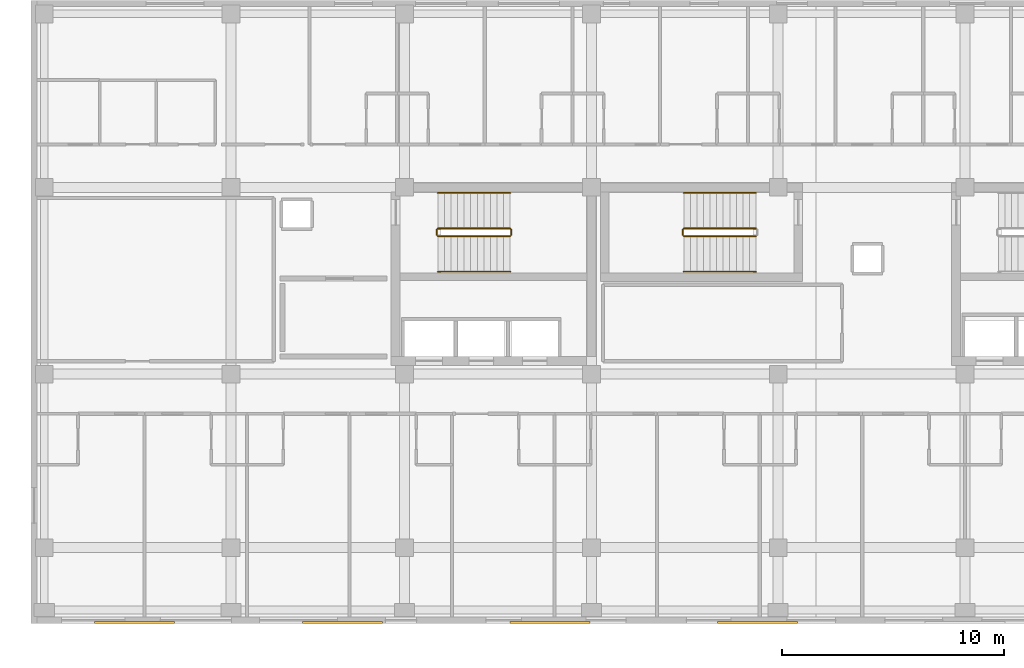
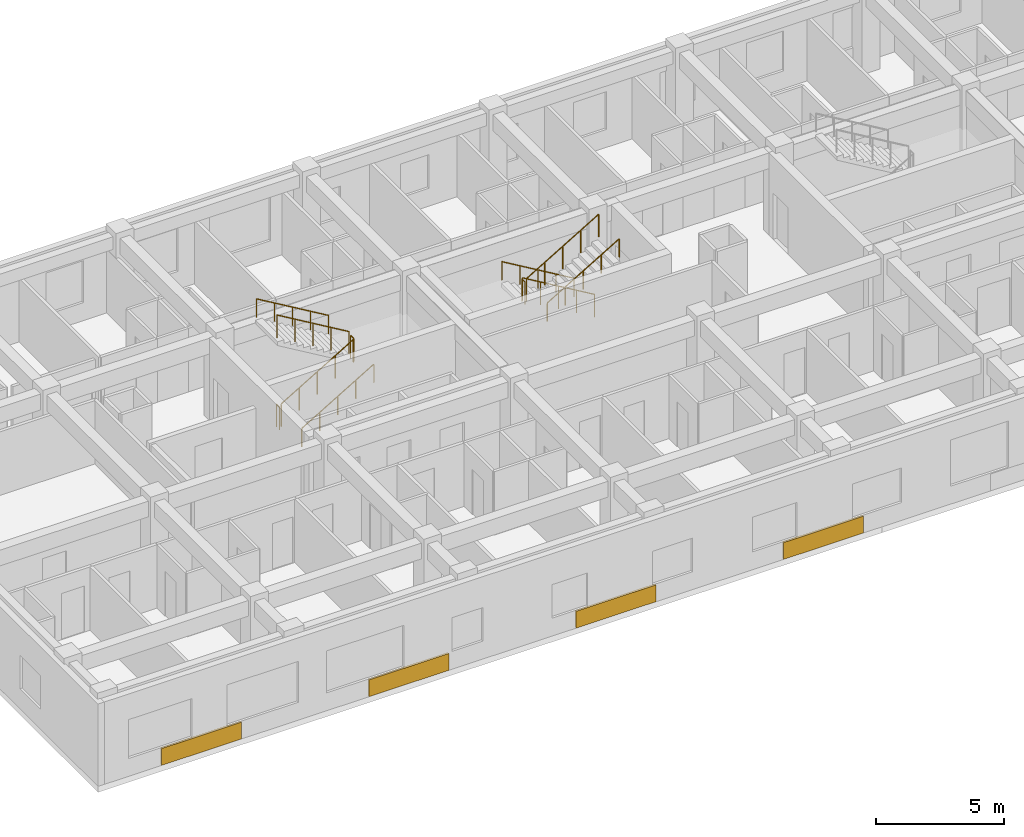
# One storey, part 117 of 123: 11 railings, 4 coverings.
"""IFC4 building model written with IfcOpenShell, lengths in metres."""

from ifc_helpers import new_model, si_unit, direction, frame, origin, origin_2d, place, context, subcontext, project, spatial, rectangle, circle, extrude, material, layer, layer_set, type_object, element, save


model = new_model("IFC4")

# Units and contexts
model_context = context("Model", 3, precision=1e-05, world=origin(), true_north=direction((0.0, 1.0)))
body_context = subcontext(model_context, "Body", "Model", "MODEL_VIEW")
ifc_project = project(units=[si_unit("LENGTHUNIT", "METRE"), si_unit("AREAUNIT", "SQUARE_METRE"), si_unit("VOLUMEUNIT", "CUBIC_METRE"), si_unit("PLANEANGLEUNIT", "RADIAN"), si_unit("MASSUNIT", "GRAM", prefix="KILO")], contexts=[model_context])

# Site, building, storey
site_placement = place(None, origin())
site = spatial("IfcSite", under=ifc_project, at=site_placement, CompositionType="ELEMENT")
building_placement = place(site_placement, origin())
building = spatial("IfcBuilding", under=site, at=building_placement, Name="Zayran Congress Hotel", CompositionType="ELEMENT")
storey_placement = place(building_placement, frame((0.0, 0.0, 15.0)))
storey = spatial("IfcBuildingStorey", under=building, at=storey_placement, Name="L03", CompositionType="ELEMENT", Elevation=15.0)

# Coverings
ifc_material_1 = material(Name="Ochre geometric bas-relief Hajar Ma'ani stone", Category="masonry")
ifc_layer = layer(ifc_material_1, 0.090087890625)
ifc_layer_set = layer_set([ifc_layer], Name="Ochre geometric bas-relief Hajar Ma'ani stone")
covering_type = type_object("IfcCoveringType", Name="TP-CLD-01", PredefinedType="CLADDING", material=ifc_layer_set)
for number, where, z_axis, x_axis, name in (
    (1, (13.06689453125, 6.044921875, 0.0), (0.0, 0.0, 1.0), (1.0, 0.0, 0.0), "CLD-V5S-L03-0"),
    (2, (22.39990234375, 6.044921875, 0.0), (0.0, 0.0, 1.0), (1.0, 0.0, 0.0), "CLD-V5S-L03-1"),
    (3, (31.73291015625, 6.044921875, 0.0), (0.0, 0.0, 1.0), (1.0, 0.0, 0.0), "CLD-V5S-L03-2"),
    (4, (41.06689453125, 6.044921875, 0.0), (0.0, 0.0, 1.0), (1.0, 0.0, 0.0), "CLD-V5S-L03-3"),
):
    element("IfcCovering", number, at=place(storey_placement, frame(where, z_axis=z_axis, x_axis=x_axis)), inside=storey, type_object=covering_type, Name=name, PredefinedType="CLADDING", context=body_context, shape_type="SweptSolid", body=[
        extrude(rectangle(XDim=3.60009765625, YDim=0.090087890625, at=origin_2d()), origin(), (0.0, 0.0, 1.0), 0.800048828125),
    ])

# Railings
ifc_material_2 = material(Name="Painted steel balustrade", Category="steel")
railing_type_1 = type_object("IfcRailingType", Name="TP-GRD-INT", PredefinedType="GUARDRAIL", material=ifc_material_2)
railing_1_placement = place(storey_placement, frame((26.699951171875, 23.409912109375, 0.175048828125)))
element("IfcRailing", 5, at=railing_1_placement, inside=storey, type_object=railing_type_1, Name="L03 ST-01 stair guard 1", PredefinedType="GUARDRAIL", context=body_context, shape_type="SweptSolid", body=[
    extrude(circle(Radius=0.02392578125, at=origin_2d()), frame((0.0, 0.0, 1.076171875), z_axis=(0.860057060016, 0.0, 0.510197857224), x_axis=(0.0, 1.0, 0.0)), (0.0, 0.0, 1.0), 3.773193359375),
    extrude(circle(Radius=0.02099609375, at=origin_2d()), origin(), (0.0, 0.0, 1.0), 1.052001953125),
    extrude(circle(Radius=0.02099609375, at=origin_2d()), frame((0.811279296875, 0.0, 0.481201171875)), (0.0, 0.0, 1.0), 1.052001953125),
    extrude(circle(Radius=0.02099609375, at=origin_2d()), frame((1.62255859375, 0.0, 0.96240234375)), (0.0, 0.0, 1.0), 1.052001953125),
    extrude(circle(Radius=0.02099609375, at=origin_2d()), frame((2.433837890625, 0.0, 1.44384765625)), (0.0, 0.0, 1.0), 1.052001953125),
    extrude(circle(Radius=0.02099609375, at=origin_2d()), frame((3.2451171875, 0.0, 1.925048828125)), (0.0, 0.0, 1.0), 1.052001953125),
])
railing_2_placement = place(storey_placement, frame((29.9951171875, 23.4599609375, 2.10009765625)))
element("IfcRailing", 6, at=railing_2_placement, inside=storey, type_object=railing_type_1, Name="L03 ST-01 stair guard 2", PredefinedType="GUARDRAIL", context=body_context, shape_type="SweptSolid", body=[
    extrude(circle(Radius=0.02392578125, at=origin_2d()), frame((0.0, 0.0, 1.076171875), z_axis=(0.0, 1.0, 0.0), x_axis=(-1.0, 0.0, 0.0)), (0.0, 0.0, 1.0), 0.239990234375),
    extrude(circle(Radius=0.02099609375, at=origin_2d()), origin(), (0.0, 0.0, 1.0), 1.052001953125),
    extrude(circle(Radius=0.02099609375, at=origin_2d()), frame((0.0, 0.239990234375, 0.0)), (0.0, 0.0, 1.0), 1.052001953125),
])
railing_3_placement = place(storey_placement, frame((29.945068359375, 23.75, 2.27490234375)))
element("IfcRailing", 7, at=railing_3_placement, inside=storey, type_object=railing_type_1, Name="L03 ST-01 stair guard 3", PredefinedType="GUARDRAIL", context=body_context, shape_type="SweptSolid", body=[
    extrude(circle(Radius=0.02392578125, at=origin_2d()), frame((0.0, 0.0, 1.076171875), z_axis=(-0.860057060016, 0.0, 0.510197857224), x_axis=(0.0, -1.0, 0.0)), (0.0, 0.0, 1.0), 3.773193359375),
    extrude(circle(Radius=0.02099609375, at=origin_2d()), origin(), (0.0, 0.0, 1.0), 1.052001953125),
    extrude(circle(Radius=0.02099609375, at=origin_2d()), frame((-0.811279296875, 0.0, 0.481201171875)), (0.0, 0.0, 1.0), 1.052001953125),
    extrude(circle(Radius=0.02099609375, at=origin_2d()), frame((-1.62255859375, 0.0, 0.96240234375)), (0.0, 0.0, 1.0), 1.052001953125),
    extrude(circle(Radius=0.02099609375, at=origin_2d()), frame((-2.433837890625, 0.0, 1.44384765625)), (0.0, 0.0, 1.0), 1.052001953125),
    extrude(circle(Radius=0.02099609375, at=origin_2d()), frame((-3.2451171875, 0.0, 1.925048828125)), (0.0, 0.0, 1.0), 1.052001953125),
])
railing_4_placement = place(storey_placement, frame((26.64990234375, 23.4599609375, 0.0)))
element("IfcRailing", 8, at=railing_4_placement, inside=storey, type_object=railing_type_1, Name="L03 ST-01 stair guard 4", PredefinedType="GUARDRAIL", context=body_context, shape_type="SweptSolid", body=[
    extrude(circle(Radius=0.02392578125, at=origin_2d()), frame((0.0, 0.0, 1.076171875), z_axis=(0.0, 1.0, 0.0), x_axis=(-1.0, 0.0, 0.0)), (0.0, 0.0, 1.0), 0.239990234375),
    extrude(circle(Radius=0.02099609375, at=origin_2d()), origin(), (0.0, 0.0, 1.0), 1.052001953125),
    extrude(circle(Radius=0.02099609375, at=origin_2d()), frame((0.0, 0.239990234375, 0.0)), (0.0, 0.0, 1.0), 1.052001953125),
])
railing_5_placement = place(storey_placement, frame((41.0, 23.75, 0.175048828125)))
element("IfcRailing", 9, at=railing_5_placement, inside=storey, type_object=railing_type_1, Name="L03 ST-13 stair guard 1", PredefinedType="GUARDRAIL", context=body_context, shape_type="SweptSolid", body=[
    extrude(circle(Radius=0.02392578125, at=origin_2d()), frame((0.0, 0.0, 1.076171875), z_axis=(-0.860057060016, 0.0, 0.510197857224), x_axis=(0.0, -1.0, 0.0)), (0.0, 0.0, 1.0), 3.773193359375),
    extrude(circle(Radius=0.02099609375, at=origin_2d()), origin(), (0.0, 0.0, 1.0), 1.052001953125),
    extrude(circle(Radius=0.02099609375, at=origin_2d()), frame((-0.811279296875, 0.0, 0.481201171875)), (0.0, 0.0, 1.0), 1.052001953125),
    extrude(circle(Radius=0.02099609375, at=origin_2d()), frame((-1.62255859375, 0.0, 0.96240234375)), (0.0, 0.0, 1.0), 1.052001953125),
    extrude(circle(Radius=0.02099609375, at=origin_2d()), frame((-2.433837890625, 0.0, 1.44384765625)), (0.0, 0.0, 1.0), 1.052001953125),
    extrude(circle(Radius=0.02099609375, at=origin_2d()), frame((-3.2451171875, 0.0, 1.925048828125)), (0.0, 0.0, 1.0), 1.052001953125),
])
railing_6_placement = place(storey_placement, frame((37.705078125, 23.699951171875, 2.10009765625)))
element("IfcRailing", 10, at=railing_6_placement, inside=storey, type_object=railing_type_1, Name="L03 ST-13 stair guard 2", PredefinedType="GUARDRAIL", context=body_context, shape_type="SweptSolid", body=[
    extrude(circle(Radius=0.02392578125, at=origin_2d()), frame((0.0, 0.0, 1.076171875), z_axis=(0.0, -1.0, 0.0), x_axis=(1.0, 0.0, 0.0)), (0.0, 0.0, 1.0), 0.239990234375),
    extrude(circle(Radius=0.02099609375, at=origin_2d()), origin(), (0.0, 0.0, 1.0), 1.052001953125),
    extrude(circle(Radius=0.02099609375, at=origin_2d()), frame((0.0, -0.239990234375, 0.0)), (0.0, 0.0, 1.0), 1.052001953125),
])
railing_7_placement = place(storey_placement, frame((37.7548828125, 23.409912109375, 2.27490234375)))
element("IfcRailing", 11, at=railing_7_placement, inside=storey, type_object=railing_type_1, Name="L03 ST-13 stair guard 3", PredefinedType="GUARDRAIL", context=body_context, shape_type="SweptSolid", body=[
    extrude(circle(Radius=0.02392578125, at=origin_2d()), frame((0.0, 0.0, 1.076171875), z_axis=(0.860057060016, 0.0, 0.510197857224), x_axis=(0.0, 1.0, 0.0)), (0.0, 0.0, 1.0), 3.773193359375),
    extrude(circle(Radius=0.02099609375, at=origin_2d()), origin(), (0.0, 0.0, 1.0), 1.052001953125),
    extrude(circle(Radius=0.02099609375, at=origin_2d()), frame((0.811279296875, 0.0, 0.481201171875)), (0.0, 0.0, 1.0), 1.052001953125),
    extrude(circle(Radius=0.02099609375, at=origin_2d()), frame((1.62255859375, 0.0, 0.96240234375)), (0.0, 0.0, 1.0), 1.052001953125),
    extrude(circle(Radius=0.02099609375, at=origin_2d()), frame((2.433837890625, 0.0, 1.44384765625)), (0.0, 0.0, 1.0), 1.052001953125),
    extrude(circle(Radius=0.02099609375, at=origin_2d()), frame((3.2451171875, 0.0, 1.925048828125)), (0.0, 0.0, 1.0), 1.052001953125),
])
ifc_material_3 = material(Name="Brushed stainless steel handrail", Category="steel")
railing_type_2 = type_object("IfcRailingType", Name="TP-HND-STR", PredefinedType="HANDRAIL", material=ifc_material_3)
railing_8_placement = place(storey_placement, frame((26.699951171875, 21.81005859375, 0.175048828125)))
element("IfcRailing", 12, at=railing_8_placement, inside=storey, type_object=railing_type_2, Name="L03 ST-01 stair handrail 1", PredefinedType="HANDRAIL", context=body_context, shape_type="SweptSolid", body=[
    extrude(circle(Radius=0.02392578125, at=origin_2d()), frame((0.0, 0.0, 0.8759765625), z_axis=(0.860057060016, 0.0, 0.510197857224), x_axis=(0.0, 1.0, 0.0)), (0.0, 0.0, 1.0), 3.773193359375),
    extrude(circle(Radius=0.02099609375, at=origin_2d()), origin(), (0.0, 0.0, 1.0), 0.851806640625),
    extrude(circle(Radius=0.02099609375, at=origin_2d()), frame((0.811279296875, 0.0, 0.481201171875)), (0.0, 0.0, 1.0), 0.851806640625),
    extrude(circle(Radius=0.02099609375, at=origin_2d()), frame((1.62255859375, 0.0, 0.96240234375)), (0.0, 0.0, 1.0), 0.851806640625),
    extrude(circle(Radius=0.02099609375, at=origin_2d()), frame((2.433837890625, 0.0, 1.44384765625)), (0.0, 0.0, 1.0), 0.851806640625),
    extrude(circle(Radius=0.02099609375, at=origin_2d()), frame((3.2451171875, 0.0, 1.925048828125)), (0.0, 0.0, 1.0), 0.851806640625),
])
for number, where, name in (
    (13, (29.945068359375, 25.35009765625, 2.27490234375), "L03 ST-01 stair handrail 2"),
    (14, (41.0, 25.35009765625, 0.175048828125), "L03 ST-13 stair handrail 1"),
):
    element("IfcRailing", number, at=place(storey_placement, frame(where)), inside=storey, type_object=railing_type_2, Name=name, PredefinedType="HANDRAIL", context=body_context, shape_type="SweptSolid", body=[
        extrude(circle(Radius=0.02392578125, at=origin_2d()), frame((0.0, 0.0, 0.8759765625), z_axis=(-0.860057060016, 0.0, 0.510197857224), x_axis=(0.0, -1.0, 0.0)), (0.0, 0.0, 1.0), 3.773193359375),
        extrude(circle(Radius=0.02099609375, at=origin_2d()), origin(), (0.0, 0.0, 1.0), 0.851806640625),
        extrude(circle(Radius=0.02099609375, at=origin_2d()), frame((-0.811279296875, 0.0, 0.481201171875)), (0.0, 0.0, 1.0), 0.851806640625),
        extrude(circle(Radius=0.02099609375, at=origin_2d()), frame((-1.62255859375, 0.0, 0.96240234375)), (0.0, 0.0, 1.0), 0.851806640625),
        extrude(circle(Radius=0.02099609375, at=origin_2d()), frame((-2.433837890625, 0.0, 1.44384765625)), (0.0, 0.0, 1.0), 0.851806640625),
        extrude(circle(Radius=0.02099609375, at=origin_2d()), frame((-3.2451171875, 0.0, 1.925048828125)), (0.0, 0.0, 1.0), 0.851806640625),
    ])
railing_9_placement = place(storey_placement, frame((37.7548828125, 21.81005859375, 2.27490234375)))
element("IfcRailing", 15, at=railing_9_placement, inside=storey, type_object=railing_type_2, Name="L03 ST-13 stair handrail 2", PredefinedType="HANDRAIL", context=body_context, shape_type="SweptSolid", body=[
    extrude(circle(Radius=0.02392578125, at=origin_2d()), frame((0.0, 0.0, 0.8759765625), z_axis=(0.860057060016, 0.0, 0.510197857224), x_axis=(0.0, 1.0, 0.0)), (0.0, 0.0, 1.0), 3.773193359375),
    extrude(circle(Radius=0.02099609375, at=origin_2d()), origin(), (0.0, 0.0, 1.0), 0.851806640625),
    extrude(circle(Radius=0.02099609375, at=origin_2d()), frame((0.811279296875, 0.0, 0.481201171875)), (0.0, 0.0, 1.0), 0.851806640625),
    extrude(circle(Radius=0.02099609375, at=origin_2d()), frame((1.62255859375, 0.0, 0.96240234375)), (0.0, 0.0, 1.0), 0.851806640625),
    extrude(circle(Radius=0.02099609375, at=origin_2d()), frame((2.433837890625, 0.0, 1.44384765625)), (0.0, 0.0, 1.0), 0.851806640625),
    extrude(circle(Radius=0.02099609375, at=origin_2d()), frame((3.2451171875, 0.0, 1.925048828125)), (0.0, 0.0, 1.0), 0.851806640625),
])

save(model, "model.ifc")
